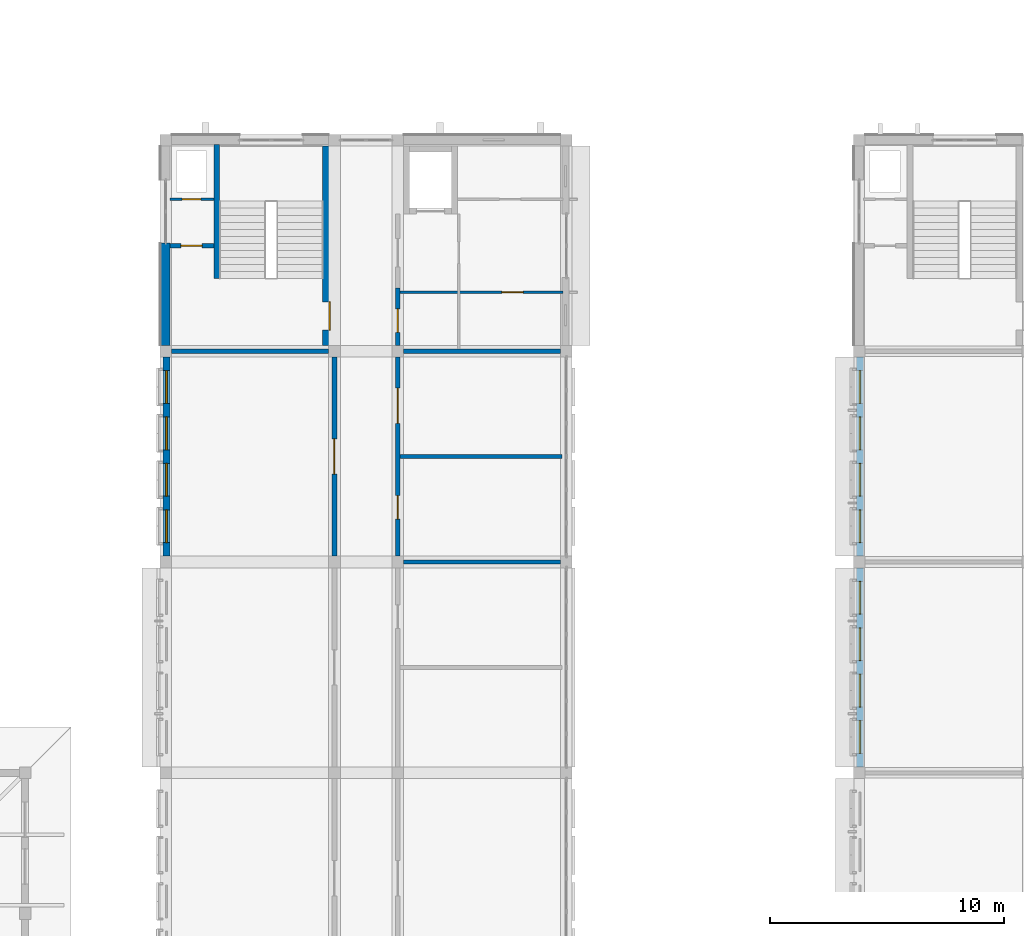
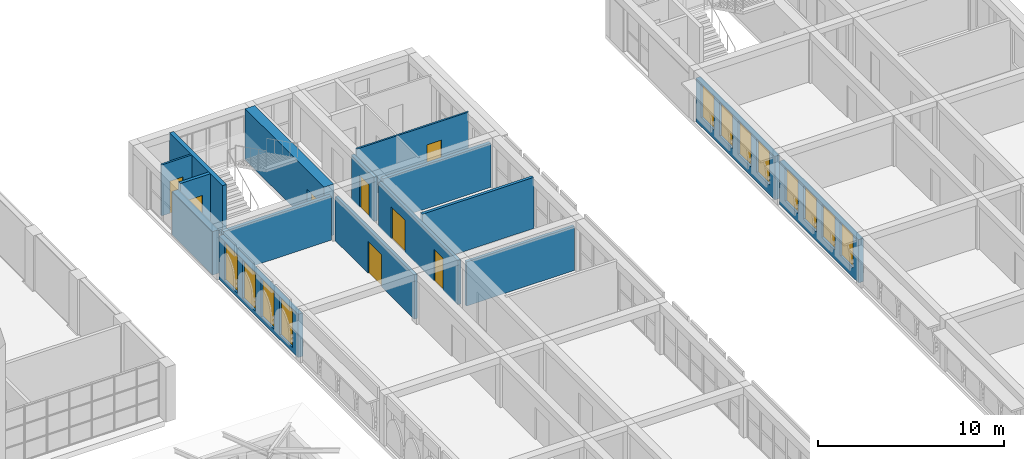
# One storey, part 49 of 82: 16 walls, 12 windows, 8 doors, 20 openings.
"""IFC4 building model written with IfcOpenShell, lengths in metres."""

from ifc_helpers import new_model, si_unit, direction, frame, frame_2d, origin, place, context, subcontext, project, spatial, rectangle, extrude, material, layer, layer_set, type_object, element, fill, save


model = new_model("IFC4")

# Units and contexts
model_context = context("Model", 3, precision=1e-05, world=origin(), true_north=direction((0.0, 1.0)))
body_context = subcontext(model_context, "Body", "Model", "MODEL_VIEW")
ifc_project = project(units=[si_unit("LENGTHUNIT", "METRE"), si_unit("AREAUNIT", "SQUARE_METRE"), si_unit("VOLUMEUNIT", "CUBIC_METRE"), si_unit("PLANEANGLEUNIT", "RADIAN"), si_unit("MASSUNIT", "GRAM", prefix="KILO")], contexts=[model_context])

# Site, building, storey
site_placement = place(None, origin())
site = spatial("IfcSite", under=ifc_project, at=site_placement, CompositionType="ELEMENT")
building_placement = place(site_placement, origin())
building = spatial("IfcBuilding", under=site, at=building_placement, Name="Elbe Cascade School", CompositionType="ELEMENT")
storey_placement = place(building_placement, frame((0.0, 0.0, 4.5)))
storey = spatial("IfcBuildingStorey", under=building, at=storey_placement, Name="L01", CompositionType="ELEMENT", Elevation=4.5)

# Walls
ifc_material_1 = material(Name="Masonry - lime-sand block, plastered", Category="masonry")
ifc_layer_1 = layer(ifc_material_1, 0.175048828125)
ifc_layer_set_1 = layer_set([ifc_layer_1], Name="Masonry - lime-sand block, plastered")
wall_type_1 = type_object("IfcWallType", Name="Bar classroom partition wall lime-sand block 175", PredefinedType="PARTITIONING", material=ifc_layer_set_1)
wall_1_placement = place(storey_placement, frame((79.14990234375, 42.0, 0.0), z_axis=(0.0, 0.0, 1.0), x_axis=(1.0, 0.0, 0.0)))
element("IfcWall", 1, at=wall_1_placement, inside=storey, type_object=wall_type_1, Name="Bar classroom partition wall lime-sand block 175", PredefinedType="PARTITIONING", context=body_context, shape_type="SweptSolid", body=[
    extrude(rectangle(XDim=6.7001953125, YDim=0.175048828125, at=frame_2d((3.35009765625, 0.0))), origin(), (0.0, 0.0, 1.0), 2.89990234375),
])
wall_2_placement = place(storey_placement, frame((79.0, 46.5, 0.0), z_axis=(0.0, 0.0, 1.0), x_axis=(1.0, 0.0, 0.0)))
element("IfcWall", 2, at=wall_2_placement, inside=storey, type_object=wall_type_1, Name="Bar classroom partition wall lime-sand block 175", PredefinedType="PARTITIONING", context=body_context, shape_type="SweptSolid", body=[
    extrude(rectangle(XDim=6.919921875, YDim=0.175048828125, at=frame_2d((3.4599609375, 0.0))), origin(), (0.0, 0.0, 1.0), 3.35009765625),
])

# Wall, opening, door
ifc_material_2 = material(Name="Masonry - lime-sand block, plastered", Category="masonry")
ifc_layer_2 = layer(ifc_material_2, 0.199951171875)
ifc_layer_set_2 = layer_set([ifc_layer_2], Name="Masonry - lime-sand block, plastered")
wall_type_2 = type_object("IfcWallType", Name="Bar corridor wall lime-sand block 200 EI 30", PredefinedType="PARTITIONING", material=ifc_layer_set_2)
wall_3_placement = place(storey_placement, frame((78.89990234375, 51.25, 0.0), z_axis=(0.0, 0.0, 1.0), x_axis=(0.0, 1.0, 0.0)))
wall_3 = element("IfcWall", 3, at=wall_3_placement, inside=storey, type_object=wall_type_2, Name="Bar corridor wall lime-sand block 200 EI 30", PredefinedType="PARTITIONING", context=body_context, shape_type="SweptSolid", body=[
    extrude(rectangle(XDim=2.449951171875, YDim=0.199951171875, at=frame_2d((1.22509765625, 0.0))), origin(), (0.0, 0.0, 1.0), 2.89990234375),
])
opening_1_placement = place(wall_3_placement, frame((0.550048828125, 0.0, 0.0)))
opening_1 = element("IfcOpeningElement", 4, at=opening_1_placement, cuts=wall_3, Name="Opening D1.020", PredefinedType="OPENING", context=body_context, shape_type="SweptSolid", body=[
    extrude(rectangle(XDim=1.0, YDim=2.10009765625, at=frame_2d((0.5, 1.050048828125))), frame((0.0, 0.10986328125, 0.0), z_axis=(0.0, -1.0, 0.0), x_axis=(1.0, 0.0, 0.0)), (0.0, 0.0, 1.0), 0.219970703125),
])
ifc_material_3 = material(Name="Timber door leaf, fire-resisting, steel frame", Category="steel")
door_type_1 = type_object("IfcDoorType", Name="Bar door FD30 1000x2100", OperationType="NOTDEFINED", PredefinedType="DOOR", material=ifc_material_3)
door_1_placement = place(opening_1_placement, origin())
door_1 = element("IfcDoor", 5, at=door_1_placement, inside=storey, type_object=door_type_1, Name="Door A1.19", OperationType="SINGLE_SWING_RIGHT", OverallHeight=2.10009765625, OverallWidth=1.0, PredefinedType="DOOR", context=body_context, shape_type="SweptSolid", body=[
    extrude(rectangle(XDim=1.0, YDim=2.10009765625, at=frame_2d((0.5, 1.050048828125))), frame((0.0, 0.02490234375, 0.0), z_axis=(0.0, -1.0, 0.0), x_axis=(1.0, 0.0, 0.0)), (0.0, 0.0, 1.0), 0.050048828125),
])
fill(opening_1, door_1)

wall_4_placement = place(storey_placement, frame((76.199951171875, 42.25, 0.0), z_axis=(0.0, 0.0, 1.0), x_axis=(0.0, 1.0, 0.0)))
wall_4 = element("IfcWall", 6, at=wall_4_placement, inside=storey, type_object=wall_type_2, Name="Bar corridor wall lime-sand block 200 EI 30", PredefinedType="PARTITIONING", context=body_context, shape_type="SweptSolid", body=[
    extrude(rectangle(XDim=8.5, YDim=0.199951171875, at=frame_2d((4.25, 0.0))), origin(), (0.0, 0.0, 1.0), 2.89990234375),
])
opening_2_placement = place(wall_4_placement, frame((3.5, 0.0, 0.0)))
opening_2 = element("IfcOpeningElement", 7, at=opening_2_placement, cuts=wall_4, Name="Opening D1.018", PredefinedType="OPENING", context=body_context, shape_type="SweptSolid", body=[
    extrude(rectangle(XDim=1.5, YDim=2.10009765625, at=frame_2d((0.75, 1.050048828125))), frame((0.0, 0.10986328125, 0.0), z_axis=(0.0, -1.0, 0.0), x_axis=(1.0, 0.0, 0.0)), (0.0, 0.0, 1.0), 0.219970703125),
])
ifc_material_4 = material(Name="Timber door leaves, fire-resisting, steel frame", Category="steel")
door_type_2 = type_object("IfcDoorType", Name="Bar door FD30 1500x2100", OperationType="NOTDEFINED", PredefinedType="DOOR", material=ifc_material_4)
door_2_placement = place(opening_2_placement, origin())
door_2 = element("IfcDoor", 8, at=door_2_placement, inside=storey, type_object=door_type_2, Name="Door A1.20d", OperationType="DOUBLE_DOOR_SINGLE_SWING", OverallHeight=2.10009765625, OverallWidth=1.5, PredefinedType="DOOR", context=body_context, shape_type="SweptSolid", body=[
    extrude(rectangle(XDim=1.5, YDim=2.10009765625, at=frame_2d((0.75, 1.050048828125))), frame((0.0, 0.02490234375, 0.0), z_axis=(0.0, -1.0, 0.0), x_axis=(1.0, 0.0, 0.0)), (0.0, 0.0, 1.0), 0.050048828125),
])
fill(opening_2, door_2)

# Wall, openings, doors
wall_5_placement = place(storey_placement, frame((78.89990234375, 50.75, 0.0), z_axis=(0.0, 0.0, 1.0), x_axis=(0.0, -1.0, 0.0)))
wall_5 = element("IfcWall", 9, at=wall_5_placement, inside=storey, type_object=wall_type_2, Name="Bar corridor wall lime-sand block 200 EI 30", PredefinedType="PARTITIONING", context=body_context, shape_type="SweptSolid", body=[
    extrude(rectangle(XDim=8.5, YDim=0.199951171875, at=frame_2d((4.25, 0.0))), origin(), (0.0, 0.0, 1.0), 2.89990234375),
])
opening_3_placement = place(wall_5_placement, frame((5.918701171875, 0.0, 0.0)))
opening_3 = element("IfcOpeningElement", 10, at=opening_3_placement, cuts=wall_5, Name="Opening D1.017", PredefinedType="OPENING", context=body_context, shape_type="SweptSolid", body=[
    extrude(rectangle(XDim=1.0, YDim=2.10009765625, at=frame_2d((0.5, 1.050048828125))), frame((0.0, 0.10986328125, 0.0), z_axis=(0.0, -1.0, 0.0), x_axis=(1.0, 0.0, 0.0)), (0.0, 0.0, 1.0), 0.219970703125),
])
opening_4_placement = place(wall_5_placement, frame((1.331298828125, 0.0, 0.0)))
opening_4 = element("IfcOpeningElement", 11, at=opening_4_placement, cuts=wall_5, Name="Opening D1.019", PredefinedType="OPENING", context=body_context, shape_type="SweptSolid", body=[
    extrude(rectangle(XDim=1.5, YDim=2.10009765625, at=frame_2d((0.75, 1.050048828125))), frame((0.0, 0.10986328125, 0.0), z_axis=(0.0, -1.0, 0.0), x_axis=(1.0, 0.0, 0.0)), (0.0, 0.0, 1.0), 0.219970703125),
])
door_3_placement = place(opening_3_placement, origin())
door_3 = element("IfcDoor", 12, at=door_3_placement, inside=storey, type_object=door_type_1, Name="Door A1.23", OperationType="SINGLE_SWING_RIGHT", OverallHeight=2.10009765625, OverallWidth=1.0, PredefinedType="DOOR", context=body_context, shape_type="SweptSolid", body=[
    extrude(rectangle(XDim=1.0, YDim=2.10009765625, at=frame_2d((0.5, 1.050048828125))), frame((0.0, 0.02490234375, 0.0), z_axis=(0.0, -1.0, 0.0), x_axis=(1.0, 0.0, 0.0)), (0.0, 0.0, 1.0), 0.050048828125),
])
fill(opening_3, door_3)
door_4_placement = place(opening_4_placement, origin())
door_4 = element("IfcDoor", 13, at=door_4_placement, inside=storey, type_object=door_type_2, Name="Door A1.24", OperationType="DOUBLE_DOOR_SINGLE_SWING", OverallHeight=2.10009765625, OverallWidth=1.5, PredefinedType="DOOR", context=body_context, shape_type="SweptSolid", body=[
    extrude(rectangle(XDim=1.5, YDim=2.10009765625, at=frame_2d((0.75, 1.050048828125))), frame((0.0, 0.02490234375, 0.0), z_axis=(0.0, -1.0, 0.0), x_axis=(1.0, 0.0, 0.0)), (0.0, 0.0, 1.0), 0.050048828125),
])
fill(opening_4, door_4)

# Wall, opening, door
ifc_material_5 = material(Name="Masonry - lime-sand block, plastered", Category="masonry")
ifc_layer_3 = layer(ifc_material_5, 0.114990234375)
ifc_layer_set_3 = layer_set([ifc_layer_3], Name="Masonry - lime-sand block, plastered")
wall_type_3 = type_object("IfcWallType", Name="Bar light partition wall lime-sand block 115", PredefinedType="PARTITIONING", material=ifc_layer_set_3)
wall_6_placement = place(storey_placement, frame((69.179931640625, 57.47998046875, 0.0), z_axis=(0.0, 0.0, 1.0), x_axis=(1.0, 0.0, 0.0)))
wall_6 = element("IfcWall", 14, at=wall_6_placement, inside=storey, type_object=wall_type_3, Name="Bar light partition wall lime-sand block 115", PredefinedType="PARTITIONING", context=body_context, shape_type="SweptSolid", body=[
    extrude(rectangle(XDim=1.8701171875, YDim=0.114990234375, at=frame_2d((0.93505859375, 0.0))), origin(), (0.0, 0.0, 1.0), 3.35009765625),
])
opening_5_placement = place(wall_6_placement, frame((0.52001953125, 0.0, 0.0)))
opening_5 = element("IfcOpeningElement", 15, at=opening_5_placement, cuts=wall_6, Name="Opening D1.027", PredefinedType="OPENING", context=body_context, shape_type="SweptSolid", body=[
    extrude(rectangle(XDim=0.800048828125, YDim=2.10009765625, at=frame_2d((0.39990234375, 1.050048828125))), frame((0.0, 0.0673828125, 0.0), z_axis=(0.0, -1.0, 0.0), x_axis=(1.0, 0.0, 0.0)), (0.0, 0.0, 1.0), 0.135009765625),
])
ifc_material_6 = material(Name="Timber door leaf, steel frame", Category="steel")
door_type_3 = type_object("IfcDoorType", Name="Bar door 800x2100", OperationType="NOTDEFINED", PredefinedType="DOOR", material=ifc_material_6)
door_5_placement = place(opening_5_placement, origin())
door_5 = element("IfcDoor", 16, at=door_5_placement, inside=storey, type_object=door_type_3, Name="Door A1.14", OperationType="SINGLE_SWING_LEFT", OverallHeight=2.10009765625, OverallWidth=0.800048828125, PredefinedType="DOOR", context=body_context, shape_type="SweptSolid", body=[
    extrude(rectangle(XDim=0.800048828125, YDim=2.10009765625, at=frame_2d((0.39990234375, 1.050048828125))), frame((0.0, 0.02490234375, 0.0), z_axis=(0.0, -1.0, 0.0), x_axis=(1.0, 0.0, 0.0)), (0.0, 0.0, 1.0), 0.050048828125),
])
fill(opening_5, door_5)

wall_7_placement = place(storey_placement, frame((85.949951171875, 53.52001953125, 0.0), z_axis=(0.0, 0.0, 1.0), x_axis=(-1.0, 0.0, 0.0)))
wall_7 = element("IfcWall", 17, at=wall_7_placement, inside=storey, type_object=wall_type_3, Name="Bar light partition wall lime-sand block 115", PredefinedType="PARTITIONING", context=body_context, shape_type="SweptSolid", body=[
    extrude(rectangle(XDim=6.949951171875, YDim=0.114990234375, at=frame_2d((3.47509765625, 0.0))), origin(), (0.0, 0.0, 1.0), 3.35009765625),
])
opening_6_placement = place(wall_7_placement, frame((1.699951171875, 0.0, 0.0)))
opening_6 = element("IfcOpeningElement", 18, at=opening_6_placement, cuts=wall_7, Name="Opening D1.022", PredefinedType="OPENING", context=body_context, shape_type="SweptSolid", body=[
    extrude(rectangle(XDim=0.89990234375, YDim=2.10009765625, at=frame_2d((0.449951171875, 1.050048828125))), frame((0.0, 0.0673828125, 0.0), z_axis=(0.0, -1.0, 0.0), x_axis=(1.0, 0.0, 0.0)), (0.0, 0.0, 1.0), 0.135009765625),
])
ifc_material_7 = material(Name="Timber door leaf, steel frame", Category="steel")
door_type_4 = type_object("IfcDoorType", Name="Bar door 900x2100", OperationType="NOTDEFINED", PredefinedType="DOOR", material=ifc_material_7)
door_6_placement = place(opening_6_placement, origin())
door_6 = element("IfcDoor", 19, at=door_6_placement, inside=storey, type_object=door_type_4, Name="Door A1.18", OperationType="SINGLE_SWING_RIGHT", OverallHeight=2.10009765625, OverallWidth=0.89990234375, PredefinedType="DOOR", context=body_context, shape_type="SweptSolid", body=[
    extrude(rectangle(XDim=0.89990234375, YDim=2.10009765625, at=frame_2d((0.449951171875, 1.050048828125))), frame((0.0, 0.02490234375, 0.0), z_axis=(0.0, -1.0, 0.0), x_axis=(1.0, 0.0, 0.0)), (0.0, 0.0, 1.0), 0.050048828125),
])
fill(opening_6, door_6)

# Walls
ifc_material_8 = material(Name="Masonry - lime-sand block, plastered", Category="masonry")
ifc_layer_4 = layer(ifc_material_8, 0.199951171875)
ifc_layer_set_4 = layer_set([ifc_layer_4], Name="Masonry - lime-sand block, plastered")
wall_type_4 = type_object("IfcWallType", Name="Bar partition wall lime-sand block 200", PredefinedType="PARTITIONING", material=ifc_layer_set_4)
wall_8_placement = place(storey_placement, frame((79.14990234375, 51.0, 0.0), z_axis=(0.0, 0.0, 1.0), x_axis=(1.0, 0.0, 0.0)))
element("IfcWall", 20, at=wall_8_placement, inside=storey, type_object=wall_type_4, Name="Bar partition wall lime-sand block 200", PredefinedType="PARTITIONING", context=body_context, shape_type="SweptSolid", body=[
    extrude(rectangle(XDim=6.7001953125, YDim=0.199951171875, at=frame_2d((3.35009765625, 0.0))), origin(), (0.0, 0.0, 1.0), 2.89990234375),
])
ifc_material_9 = material(Name="Concrete C30/37", Category="concrete")
ifc_layer_5 = layer(ifc_material_9, 0.25)
ifc_layer_set_5 = layer_set([ifc_layer_5], Name="Concrete C30/37")
wall_type_5 = type_object("IfcWallType", Name="Bar stair core wall RC 250", PredefinedType="SOLIDWALL", material=ifc_layer_set_5)
wall_9_placement = place(storey_placement, frame((71.175048828125, 54.10009765625, 0.0), z_axis=(0.0, 0.0, 1.0), x_axis=(0.0, 1.0, 0.0)))
element("IfcWall", 21, at=wall_9_placement, inside=storey, type_object=wall_type_5, Name="Bar stair core wall RC 250", PredefinedType="SOLIDWALL", context=body_context, shape_type="SweptSolid", body=[
    extrude(rectangle(XDim=5.719970703125, YDim=0.25, at=frame_2d((2.85986328125, 0.0))), origin(), (0.0, 0.0, 1.0), 3.35009765625),
])

# Wall, opening, door
ifc_material_10 = material(Name="Concrete C30/37", Category="concrete")
ifc_layer_6 = layer(ifc_material_10, 0.60009765625)
ifc_layer_set_6 = layer_set([ifc_layer_6], Name="Concrete C30/37")
wall_type_6 = type_object("IfcWallType", Name="Bar stair core wall RC 600", PredefinedType="SOLIDWALL", material=ifc_layer_set_6)
wall_10_placement = place(storey_placement, frame((76.0, 51.25, 0.0), z_axis=(0.0, 0.0, 1.0), x_axis=(0.0, 1.0, 0.0)))
wall_10 = element("IfcWall", 22, at=wall_10_placement, inside=storey, type_object=wall_type_6, Name="Bar stair core wall RC 600", PredefinedType="SOLIDWALL", context=body_context, shape_type="SweptSolid", body=[
    extrude(rectangle(XDim=8.5, YDim=0.60009765625, at=frame_2d((4.25, 0.0))), origin(), (0.0, 0.0, 1.0), 3.35009765625),
])
opening_7_placement = place(wall_10_placement, frame((0.64990234375, 0.0, 0.0)))
opening_7 = element("IfcOpeningElement", 23, at=opening_7_placement, cuts=wall_10, Name="Opening D1.021", PredefinedType="OPENING", context=body_context, shape_type="SweptSolid", body=[
    extrude(rectangle(XDim=1.199951171875, YDim=2.10009765625, at=frame_2d((0.60009765625, 1.050048828125))), frame((0.0, 0.31005859375, 0.0), z_axis=(0.0, -1.0, 0.0), x_axis=(1.0, 0.0, 0.0)), (0.0, 0.0, 1.0), 0.6201171875),
])
ifc_material_11 = material(Name="Timber door leaf, fire-resisting and smoke-tight, steel frame", Category="steel")
door_type_5 = type_object("IfcDoorType", Name="Bar door FD30S 1200x2100", OperationType="NOTDEFINED", PredefinedType="DOOR", material=ifc_material_11)
door_7_placement = place(opening_7_placement, origin())
door_7 = element("IfcDoor", 24, at=door_7_placement, inside=storey, type_object=door_type_5, Name="Door A1.12", OperationType="SINGLE_SWING_RIGHT", OverallHeight=2.10009765625, OverallWidth=1.199951171875, PredefinedType="DOOR", context=body_context, shape_type="SweptSolid", body=[
    extrude(rectangle(XDim=1.199951171875, YDim=2.10009765625, at=frame_2d((0.60009765625, 1.050048828125))), frame((0.0, 0.02490234375, 0.0), z_axis=(0.0, -1.0, 0.0), x_axis=(1.0, 0.0, 0.0)), (0.0, 0.0, 1.0), 0.050048828125),
])
fill(opening_7, door_7)

ifc_material_12 = material(Name="Concrete C30/37", Category="concrete")
ifc_layer_7 = layer(ifc_material_12, 0.199951171875)
ifc_layer_set_7 = layer_set([ifc_layer_7], Name="Concrete C30/37")
wall_type_7 = type_object("IfcWallType", Name="Bar stair lobby wall RC 200", PredefinedType="SOLIDWALL", material=ifc_layer_set_7)
wall_11_placement = place(storey_placement, frame((69.179931640625, 55.5, 0.0), z_axis=(0.0, 0.0, 1.0), x_axis=(1.0, 0.0, 0.0)))
wall_11 = element("IfcWall", 25, at=wall_11_placement, inside=storey, type_object=wall_type_7, Name="Bar stair lobby wall RC 200", PredefinedType="SOLIDWALL", context=body_context, shape_type="SweptSolid", body=[
    extrude(rectangle(XDim=1.8701171875, YDim=0.199951171875, at=frame_2d((0.93505859375, 0.0))), origin(), (0.0, 0.0, 1.0), 3.35009765625),
])
opening_8_placement = place(wall_11_placement, frame((0.469970703125, 0.0, 0.0)))
opening_8 = element("IfcOpeningElement", 26, at=opening_8_placement, cuts=wall_11, Name="Opening D1.025", PredefinedType="OPENING", context=body_context, shape_type="SweptSolid", body=[
    extrude(rectangle(XDim=0.89990234375, YDim=2.10009765625, at=frame_2d((0.449951171875, 1.050048828125))), frame((0.0, 0.10986328125, 0.0), z_axis=(0.0, -1.0, 0.0), x_axis=(1.0, 0.0, 0.0)), (0.0, 0.0, 1.0), 0.219970703125),
])
ifc_material_13 = material(Name="Timber door leaf, fire-resisting and smoke-tight, steel frame", Category="steel")
door_type_6 = type_object("IfcDoorType", Name="Bar door FD30S 900x2100", OperationType="NOTDEFINED", PredefinedType="DOOR", material=ifc_material_13)
door_8_placement = place(opening_8_placement, origin())
door_8 = element("IfcDoor", 27, at=door_8_placement, inside=storey, type_object=door_type_6, Name="Door A1.13", OperationType="SINGLE_SWING_RIGHT", OverallHeight=2.10009765625, OverallWidth=0.89990234375, PredefinedType="DOOR", context=body_context, shape_type="SweptSolid", body=[
    extrude(rectangle(XDim=0.89990234375, YDim=2.10009765625, at=frame_2d((0.449951171875, 1.050048828125))), frame((0.0, 0.02490234375, 0.0), z_axis=(0.0, -1.0, 0.0), x_axis=(1.0, 0.0, 0.0)), (0.0, 0.0, 1.0), 0.050048828125),
])
fill(opening_8, door_8)

# Wall
wall_12_placement = place(storey_placement, frame((69.25, 51.0, 0.0), z_axis=(0.0, 0.0, 1.0), x_axis=(1.0, 0.0, 0.0)))
element("IfcWall", 28, at=wall_12_placement, inside=storey, type_object=wall_type_7, Name="Bar stair lobby wall RC 200", PredefinedType="SOLIDWALL", context=body_context, shape_type="SweptSolid", body=[
    extrude(rectangle(XDim=6.699951171875, YDim=0.199951171875, at=frame_2d((3.35009765625, 0.0))), origin(), (0.0, 0.0, 1.0), 2.89990234375),
])

# Wall, openings, windows
ifc_material_14 = material(Name="Brick masonry - red clinker, cavity wall with render backing", Category="masonry")
ifc_layer_8 = layer(ifc_material_14, 0.300048828125)
ifc_layer_set_8 = layer_set([ifc_layer_8], Name="Brick masonry - red clinker, cavity wall with render backing")
wall_type_8 = type_object("IfcWallType", Name="Bars envelope External wall - clinker brick cavity, 300 upper floors", PredefinedType="STANDARD", material=ifc_layer_set_8)
wall_13_placement = place(storey_placement, frame((69.030029296875, 42.25, 0.0), z_axis=(0.0, 0.0, 1.0), x_axis=(0.0, 1.0, 0.0)))
wall_13 = element("IfcWall", 29, at=wall_13_placement, inside=storey, type_object=wall_type_8, Name="External wall W30 A.L01.w5", PredefinedType="STANDARD", context=body_context, shape_type="SweptSolid", body=[
    extrude(rectangle(XDim=8.5, YDim=0.300048828125, at=frame_2d((4.25, 0.0))), origin(), (0.0, 0.0, 1.0), 2.85009765625),
])
opening_9_placement = place(wall_13_placement, frame((0.580078125, 0.0, 0.300048828125)))
opening_9 = element("IfcOpeningElement", 30, at=opening_9_placement, cuts=wall_13, Name="Opening W1.016", PredefinedType="OPENING", context=body_context, shape_type="SweptSolid", body=[
    extrude(rectangle(XDim=1.39990234375, YDim=2.5, at=frame_2d((0.699951171875, 1.25))), frame((0.0, 0.159912109375, 0.0), z_axis=(0.0, -1.0, 0.0), x_axis=(1.0, 0.0, 0.0)), (0.0, 0.0, 1.0), 0.320068359375),
])
opening_10_placement = place(wall_13_placement, frame((2.56005859375, 0.0, 0.300048828125)))
opening_10 = element("IfcOpeningElement", 31, at=opening_10_placement, cuts=wall_13, Name="Opening W1.017", PredefinedType="OPENING", context=body_context, shape_type="SweptSolid", body=[
    extrude(rectangle(XDim=1.39990234375, YDim=2.5, at=frame_2d((0.699951171875, 1.25))), frame((0.0, 0.159912109375, 0.0), z_axis=(0.0, -1.0, 0.0), x_axis=(1.0, 0.0, 0.0)), (0.0, 0.0, 1.0), 0.320068359375),
])
opening_11_placement = place(wall_13_placement, frame((4.5400390625, 0.0, 0.300048828125)))
opening_11 = element("IfcOpeningElement", 32, at=opening_11_placement, cuts=wall_13, Name="Opening W1.018", PredefinedType="OPENING", context=body_context, shape_type="SweptSolid", body=[
    extrude(rectangle(XDim=1.39990234375, YDim=2.5, at=frame_2d((0.699951171875, 1.25))), frame((0.0, 0.159912109375, 0.0), z_axis=(0.0, -1.0, 0.0), x_axis=(1.0, 0.0, 0.0)), (0.0, 0.0, 1.0), 0.320068359375),
])
opening_12_placement = place(wall_13_placement, frame((6.52001953125, 0.0, 0.300048828125)))
opening_12 = element("IfcOpeningElement", 33, at=opening_12_placement, cuts=wall_13, Name="Opening W1.019", PredefinedType="OPENING", context=body_context, shape_type="SweptSolid", body=[
    extrude(rectangle(XDim=1.39990234375, YDim=2.5, at=frame_2d((0.699951171875, 1.25))), frame((0.0, 0.159912109375, 0.0), z_axis=(0.0, -1.0, 0.0), x_axis=(1.0, 0.0, 0.0)), (0.0, 0.0, 1.0), 0.320068359375),
])
ifc_material_15 = material(Name="Aluminium frame with double glazing, bronze anodised", Category="aluminium")
window_type_1 = type_object("IfcWindowType", Name="Bars envelope Window 1400 x 2500, library reading, tall, aluminium double glazed", PartitioningType="DOUBLE_PANEL_VERTICAL", PredefinedType="WINDOW", material=ifc_material_15)
window_1_placement = place(opening_9_placement, origin())
window_1 = element("IfcWindow", 34, at=window_1_placement, inside=storey, type_object=window_type_1, Name="Window WN5 A.L01.w5.1", OverallHeight=2.5, OverallWidth=1.39990234375, PartitioningType="DOUBLE_PANEL_VERTICAL", PredefinedType="WINDOW", context=body_context, shape_type="SweptSolid", body=[
    extrude(rectangle(XDim=1.39990234375, YDim=2.5, at=frame_2d((0.699951171875, 1.25))), frame((0.0, 0.030029296875, 0.0), z_axis=(0.0, -1.0, 0.0), x_axis=(1.0, 0.0, 0.0)), (0.0, 0.0, 1.0), 0.06005859375),
])
fill(opening_9, window_1)
window_2_placement = place(opening_10_placement, origin())
window_2 = element("IfcWindow", 35, at=window_2_placement, inside=storey, type_object=window_type_1, Name="Window WN5 A.L01.w5.2", OverallHeight=2.5, OverallWidth=1.39990234375, PartitioningType="DOUBLE_PANEL_VERTICAL", PredefinedType="WINDOW", context=body_context, shape_type="SweptSolid", body=[
    extrude(rectangle(XDim=1.39990234375, YDim=2.5, at=frame_2d((0.699951171875, 1.25))), frame((0.0, 0.030029296875, 0.0), z_axis=(0.0, -1.0, 0.0), x_axis=(1.0, 0.0, 0.0)), (0.0, 0.0, 1.0), 0.06005859375),
])
fill(opening_10, window_2)
window_3_placement = place(opening_11_placement, origin())
window_3 = element("IfcWindow", 36, at=window_3_placement, inside=storey, type_object=window_type_1, Name="Window WN5 A.L01.w5.3", OverallHeight=2.5, OverallWidth=1.39990234375, PartitioningType="DOUBLE_PANEL_VERTICAL", PredefinedType="WINDOW", context=body_context, shape_type="SweptSolid", body=[
    extrude(rectangle(XDim=1.39990234375, YDim=2.5, at=frame_2d((0.699951171875, 1.25))), frame((0.0, 0.030029296875, 0.0), z_axis=(0.0, -1.0, 0.0), x_axis=(1.0, 0.0, 0.0)), (0.0, 0.0, 1.0), 0.06005859375),
])
fill(opening_11, window_3)
window_4_placement = place(opening_12_placement, origin())
window_4 = element("IfcWindow", 37, at=window_4_placement, inside=storey, type_object=window_type_1, Name="Window WN5 A.L01.w5.4", OverallHeight=2.5, OverallWidth=1.39990234375, PartitioningType="DOUBLE_PANEL_VERTICAL", PredefinedType="WINDOW", context=body_context, shape_type="SweptSolid", body=[
    extrude(rectangle(XDim=1.39990234375, YDim=2.5, at=frame_2d((0.699951171875, 1.25))), frame((0.0, 0.030029296875, 0.0), z_axis=(0.0, -1.0, 0.0), x_axis=(1.0, 0.0, 0.0)), (0.0, 0.0, 1.0), 0.06005859375),
])
fill(opening_12, window_4)

wall_14_placement = place(storey_placement, frame((98.6298828125, 33.25, 0.0), z_axis=(0.0, 0.0, 1.0), x_axis=(0.0, 1.0, 0.0)))
wall_14 = element("IfcWall", 38, at=wall_14_placement, inside=storey, type_object=wall_type_8, Name="External wall W30 B.L01.w4", PredefinedType="STANDARD", context=body_context, shape_type="SweptSolid", body=[
    extrude(rectangle(XDim=8.5, YDim=0.300048828125, at=frame_2d((4.25, 0.0))), origin(), (0.0, 0.0, 1.0), 2.85009765625),
])
opening_13_placement = place(wall_14_placement, frame((0.580078125, 0.0, 0.60009765625)))
opening_13 = element("IfcOpeningElement", 39, at=opening_13_placement, cuts=wall_14, Name="Opening W1.042", PredefinedType="OPENING", context=body_context, shape_type="SweptSolid", body=[
    extrude(rectangle(XDim=1.39990234375, YDim=2.199951171875, at=frame_2d((0.699951171875, 1.10009765625))), frame((0.0, 0.159912109375, 0.0), z_axis=(0.0, -1.0, 0.0), x_axis=(1.0, 0.0, 0.0)), (0.0, 0.0, 1.0), 0.320068359375),
])
opening_14_placement = place(wall_14_placement, frame((2.56005859375, 0.0, 0.60009765625)))
opening_14 = element("IfcOpeningElement", 40, at=opening_14_placement, cuts=wall_14, Name="Opening W1.044", PredefinedType="OPENING", context=body_context, shape_type="SweptSolid", body=[
    extrude(rectangle(XDim=1.39990234375, YDim=2.199951171875, at=frame_2d((0.699951171875, 1.10009765625))), frame((0.0, 0.159912109375, 0.0), z_axis=(0.0, -1.0, 0.0), x_axis=(1.0, 0.0, 0.0)), (0.0, 0.0, 1.0), 0.320068359375),
])
opening_15_placement = place(wall_14_placement, frame((4.5400390625, 0.0, 0.60009765625)))
opening_15 = element("IfcOpeningElement", 41, at=opening_15_placement, cuts=wall_14, Name="Opening W1.046", PredefinedType="OPENING", context=body_context, shape_type="SweptSolid", body=[
    extrude(rectangle(XDim=1.39990234375, YDim=2.199951171875, at=frame_2d((0.699951171875, 1.10009765625))), frame((0.0, 0.159912109375, 0.0), z_axis=(0.0, -1.0, 0.0), x_axis=(1.0, 0.0, 0.0)), (0.0, 0.0, 1.0), 0.320068359375),
])
opening_16_placement = place(wall_14_placement, frame((6.52001953125, 0.0, 0.60009765625)))
opening_16 = element("IfcOpeningElement", 42, at=opening_16_placement, cuts=wall_14, Name="Opening W1.048", PredefinedType="OPENING", context=body_context, shape_type="SweptSolid", body=[
    extrude(rectangle(XDim=1.39990234375, YDim=2.199951171875, at=frame_2d((0.699951171875, 1.10009765625))), frame((0.0, 0.159912109375, 0.0), z_axis=(0.0, -1.0, 0.0), x_axis=(1.0, 0.0, 0.0)), (0.0, 0.0, 1.0), 0.320068359375),
])
ifc_material_16 = material(Name="Aluminium frame with double glazing, bronze anodised", Category="aluminium")
window_type_2 = type_object("IfcWindowType", Name="Bars envelope Window 1400 x 2200, classroom, aluminium double glazed", PartitioningType="DOUBLE_PANEL_VERTICAL", PredefinedType="WINDOW", material=ifc_material_16)
window_5_placement = place(opening_13_placement, origin())
window_5 = element("IfcWindow", 43, at=window_5_placement, inside=storey, type_object=window_type_2, Name="Window WN7 B.L01.w4.1", OverallHeight=2.199951171875, OverallWidth=1.39990234375, PartitioningType="DOUBLE_PANEL_VERTICAL", PredefinedType="WINDOW", context=body_context, shape_type="SweptSolid", body=[
    extrude(rectangle(XDim=1.39990234375, YDim=2.199951171875, at=frame_2d((0.699951171875, 1.10009765625))), frame((0.0, 0.030029296875, 0.0), z_axis=(0.0, -1.0, 0.0), x_axis=(1.0, 0.0, 0.0)), (0.0, 0.0, 1.0), 0.06005859375),
])
fill(opening_13, window_5)
window_6_placement = place(opening_14_placement, origin())
window_6 = element("IfcWindow", 44, at=window_6_placement, inside=storey, type_object=window_type_2, Name="Window WN7 B.L01.w4.2", OverallHeight=2.199951171875, OverallWidth=1.39990234375, PartitioningType="DOUBLE_PANEL_VERTICAL", PredefinedType="WINDOW", context=body_context, shape_type="SweptSolid", body=[
    extrude(rectangle(XDim=1.39990234375, YDim=2.199951171875, at=frame_2d((0.699951171875, 1.10009765625))), frame((0.0, 0.030029296875, 0.0), z_axis=(0.0, -1.0, 0.0), x_axis=(1.0, 0.0, 0.0)), (0.0, 0.0, 1.0), 0.06005859375),
])
fill(opening_14, window_6)
window_7_placement = place(opening_15_placement, origin())
window_7 = element("IfcWindow", 45, at=window_7_placement, inside=storey, type_object=window_type_2, Name="Window WN7 B.L01.w4.3", OverallHeight=2.199951171875, OverallWidth=1.39990234375, PartitioningType="DOUBLE_PANEL_VERTICAL", PredefinedType="WINDOW", context=body_context, shape_type="SweptSolid", body=[
    extrude(rectangle(XDim=1.39990234375, YDim=2.199951171875, at=frame_2d((0.699951171875, 1.10009765625))), frame((0.0, 0.030029296875, 0.0), z_axis=(0.0, -1.0, 0.0), x_axis=(1.0, 0.0, 0.0)), (0.0, 0.0, 1.0), 0.06005859375),
])
fill(opening_15, window_7)
window_8_placement = place(opening_16_placement, origin())
window_8 = element("IfcWindow", 46, at=window_8_placement, inside=storey, type_object=window_type_2, Name="Window WN7 B.L01.w4.4", OverallHeight=2.199951171875, OverallWidth=1.39990234375, PartitioningType="DOUBLE_PANEL_VERTICAL", PredefinedType="WINDOW", context=body_context, shape_type="SweptSolid", body=[
    extrude(rectangle(XDim=1.39990234375, YDim=2.199951171875, at=frame_2d((0.699951171875, 1.10009765625))), frame((0.0, 0.030029296875, 0.0), z_axis=(0.0, -1.0, 0.0), x_axis=(1.0, 0.0, 0.0)), (0.0, 0.0, 1.0), 0.06005859375),
])
fill(opening_16, window_8)

wall_15_placement = place(storey_placement, frame((98.6298828125, 42.25, 0.0), z_axis=(0.0, 0.0, 1.0), x_axis=(0.0, 1.0, 0.0)))
wall_15 = element("IfcWall", 47, at=wall_15_placement, inside=storey, type_object=wall_type_8, Name="External wall W30 B.L01.w5", PredefinedType="STANDARD", context=body_context, shape_type="SweptSolid", body=[
    extrude(rectangle(XDim=8.5, YDim=0.300048828125, at=frame_2d((4.25, 0.0))), origin(), (0.0, 0.0, 1.0), 2.85009765625),
])
opening_17_placement = place(wall_15_placement, frame((0.580078125, 0.0, 0.60009765625)))
opening_17 = element("IfcOpeningElement", 48, at=opening_17_placement, cuts=wall_15, Name="Opening W1.050", PredefinedType="OPENING", context=body_context, shape_type="SweptSolid", body=[
    extrude(rectangle(XDim=1.39990234375, YDim=2.199951171875, at=frame_2d((0.699951171875, 1.10009765625))), frame((0.0, 0.159912109375, 0.0), z_axis=(0.0, -1.0, 0.0), x_axis=(1.0, 0.0, 0.0)), (0.0, 0.0, 1.0), 0.320068359375),
])
opening_18_placement = place(wall_15_placement, frame((2.56005859375, 0.0, 0.60009765625)))
opening_18 = element("IfcOpeningElement", 49, at=opening_18_placement, cuts=wall_15, Name="Opening W1.052", PredefinedType="OPENING", context=body_context, shape_type="SweptSolid", body=[
    extrude(rectangle(XDim=1.39990234375, YDim=2.199951171875, at=frame_2d((0.699951171875, 1.10009765625))), frame((0.0, 0.159912109375, 0.0), z_axis=(0.0, -1.0, 0.0), x_axis=(1.0, 0.0, 0.0)), (0.0, 0.0, 1.0), 0.320068359375),
])
opening_19_placement = place(wall_15_placement, frame((4.5400390625, 0.0, 0.60009765625)))
opening_19 = element("IfcOpeningElement", 50, at=opening_19_placement, cuts=wall_15, Name="Opening W1.054", PredefinedType="OPENING", context=body_context, shape_type="SweptSolid", body=[
    extrude(rectangle(XDim=1.39990234375, YDim=2.199951171875, at=frame_2d((0.699951171875, 1.10009765625))), frame((0.0, 0.159912109375, 0.0), z_axis=(0.0, -1.0, 0.0), x_axis=(1.0, 0.0, 0.0)), (0.0, 0.0, 1.0), 0.320068359375),
])
opening_20_placement = place(wall_15_placement, frame((6.52001953125, 0.0, 0.60009765625)))
opening_20 = element("IfcOpeningElement", 51, at=opening_20_placement, cuts=wall_15, Name="Opening W1.056", PredefinedType="OPENING", context=body_context, shape_type="SweptSolid", body=[
    extrude(rectangle(XDim=1.39990234375, YDim=2.199951171875, at=frame_2d((0.699951171875, 1.10009765625))), frame((0.0, 0.159912109375, 0.0), z_axis=(0.0, -1.0, 0.0), x_axis=(1.0, 0.0, 0.0)), (0.0, 0.0, 1.0), 0.320068359375),
])
window_9_placement = place(opening_17_placement, origin())
window_9 = element("IfcWindow", 52, at=window_9_placement, inside=storey, type_object=window_type_2, Name="Window WN7 B.L01.w5.1", OverallHeight=2.199951171875, OverallWidth=1.39990234375, PartitioningType="DOUBLE_PANEL_VERTICAL", PredefinedType="WINDOW", context=body_context, shape_type="SweptSolid", body=[
    extrude(rectangle(XDim=1.39990234375, YDim=2.199951171875, at=frame_2d((0.699951171875, 1.10009765625))), frame((0.0, 0.030029296875, 0.0), z_axis=(0.0, -1.0, 0.0), x_axis=(1.0, 0.0, 0.0)), (0.0, 0.0, 1.0), 0.06005859375),
])
fill(opening_17, window_9)
window_10_placement = place(opening_18_placement, origin())
window_10 = element("IfcWindow", 53, at=window_10_placement, inside=storey, type_object=window_type_2, Name="Window WN7 B.L01.w5.2", OverallHeight=2.199951171875, OverallWidth=1.39990234375, PartitioningType="DOUBLE_PANEL_VERTICAL", PredefinedType="WINDOW", context=body_context, shape_type="SweptSolid", body=[
    extrude(rectangle(XDim=1.39990234375, YDim=2.199951171875, at=frame_2d((0.699951171875, 1.10009765625))), frame((0.0, 0.030029296875, 0.0), z_axis=(0.0, -1.0, 0.0), x_axis=(1.0, 0.0, 0.0)), (0.0, 0.0, 1.0), 0.06005859375),
])
fill(opening_18, window_10)
window_11_placement = place(opening_19_placement, origin())
window_11 = element("IfcWindow", 54, at=window_11_placement, inside=storey, type_object=window_type_2, Name="Window WN7 B.L01.w5.3", OverallHeight=2.199951171875, OverallWidth=1.39990234375, PartitioningType="DOUBLE_PANEL_VERTICAL", PredefinedType="WINDOW", context=body_context, shape_type="SweptSolid", body=[
    extrude(rectangle(XDim=1.39990234375, YDim=2.199951171875, at=frame_2d((0.699951171875, 1.10009765625))), frame((0.0, 0.030029296875, 0.0), z_axis=(0.0, -1.0, 0.0), x_axis=(1.0, 0.0, 0.0)), (0.0, 0.0, 1.0), 0.06005859375),
])
fill(opening_19, window_11)
window_12_placement = place(opening_20_placement, origin())
window_12 = element("IfcWindow", 55, at=window_12_placement, inside=storey, type_object=window_type_2, Name="Window WN7 B.L01.w5.4", OverallHeight=2.199951171875, OverallWidth=1.39990234375, PartitioningType="DOUBLE_PANEL_VERTICAL", PredefinedType="WINDOW", context=body_context, shape_type="SweptSolid", body=[
    extrude(rectangle(XDim=1.39990234375, YDim=2.199951171875, at=frame_2d((0.699951171875, 1.10009765625))), frame((0.0, 0.030029296875, 0.0), z_axis=(0.0, -1.0, 0.0), x_axis=(1.0, 0.0, 0.0)), (0.0, 0.0, 1.0), 0.06005859375),
])
fill(opening_20, window_12)

# Wall
ifc_material_17 = material(Name="Brick masonry - red clinker, solid, sandstone-faced", Category="masonry")
ifc_layer_9 = layer(ifc_material_17, 0.39990234375)
ifc_layer_set_9 = layer_set([ifc_layer_9], Name="Brick masonry - red clinker, solid, sandstone-faced")
wall_type_9 = type_object("IfcWallType", Name="Bars envelope External wall - solid masonry core strip, sandstone faced, 400", PredefinedType="STANDARD", material=ifc_layer_set_9)
wall_16_placement = place(storey_placement, frame((68.97998046875, 51.25, 0.0), z_axis=(0.0, 0.0, 1.0), x_axis=(0.0, 1.0, 0.0)))
element("IfcWall", 56, at=wall_16_placement, inside=storey, type_object=wall_type_9, Name="External wall W31 A.L01.w6a", PredefinedType="STANDARD", context=body_context, shape_type="SweptSolid", body=[
    extrude(rectangle(XDim=4.360107421875, YDim=0.39990234375, at=frame_2d((2.18017578125, 0.0))), origin(), (0.0, 0.0, 1.0), 2.85009765625),
])

save(model, "model.ifc")
